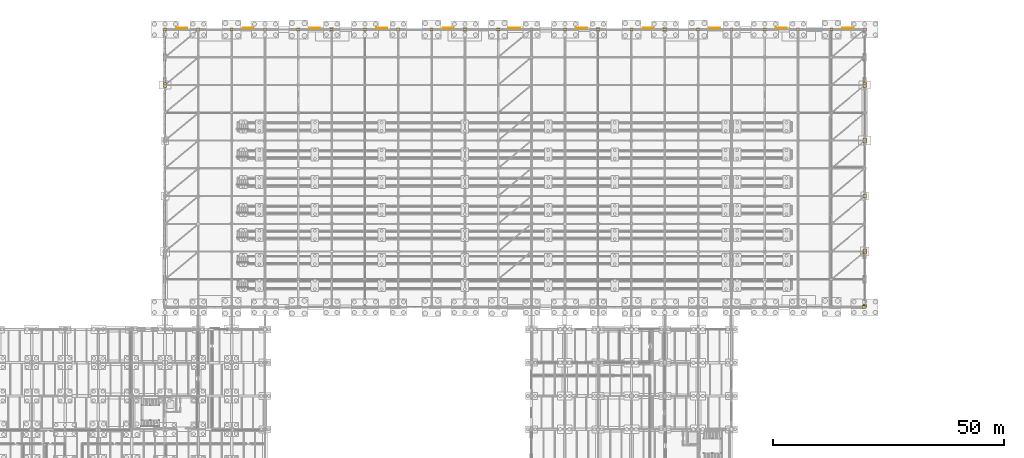
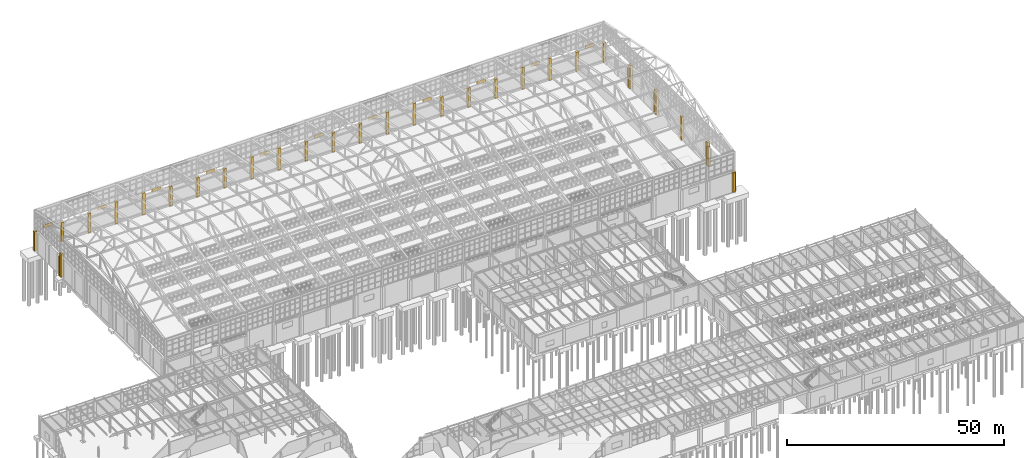
# One storey, part 292 of 293: 33 coverings, 11 shading devices.
"""IFC4 building model written with IfcOpenShell, lengths in metres."""

from ifc_helpers import new_model, si_unit, direction, frame, origin, origin_2d, place, context, subcontext, project, spatial, polyline, rectangle, outline, extrude, material, layer, layer_set, type_object, element, save


model = new_model("IFC4")

# Units and contexts
model_context = context("Model", 3, precision=1e-05, world=origin(), true_north=direction((0.0, 1.0)))
body_context = subcontext(model_context, "Body", "Model", "MODEL_VIEW")
ifc_project = project(units=[si_unit("LENGTHUNIT", "METRE"), si_unit("AREAUNIT", "SQUARE_METRE"), si_unit("VOLUMEUNIT", "CUBIC_METRE"), si_unit("PLANEANGLEUNIT", "RADIAN"), si_unit("MASSUNIT", "GRAM", prefix="KILO")], contexts=[model_context])

# Site, building, storey
site_placement = place(None, origin())
site = spatial("IfcSite", under=ifc_project, at=site_placement, CompositionType="ELEMENT")
building_placement = place(site_placement, origin())
building = spatial("IfcBuilding", under=site, at=building_placement, Name="Kemerveld Promenade Tramway Depot", CompositionType="ELEMENT")
storey_placement = place(building_placement, origin())
storey = spatial("IfcBuildingStorey", under=building, at=storey_placement, Name="L00", CompositionType="ELEMENT", Elevation=0.0)

# Coverings
ifc_material_1 = material(Name="Dressed Harare granite ashlar cladding", Category="masonry")
ifc_layer_1 = layer(ifc_material_1, 0.050048828125)
ifc_layer_set_1 = layer_set([ifc_layer_1], Name="COV-CLAD-GRAN")
covering_type = type_object("IfcCoveringType", Name="COV-CLAD-GRAN", PredefinedType="CLADDING", material=ifc_layer_set_1)
covering_1_placement = place(storey_placement, origin())
element("IfcCovering", 1, at=covering_1_placement, inside=storey, type_object=covering_type, Name="CLAD-PIER-L00-001", PredefinedType="CLADDING", context=body_context, shape_type="SweptSolid", body=[
    extrude(outline(polyline([(35.659912109375, 143.659912109375), (36.340087890625, 143.659912109375), (36.340087890625, 144.340087890625), (35.659912109375, 144.340087890625), (35.659912109375, 143.659912109375)])), origin(), (0.0, 0.0, 1.0), 5.443359375),
])
covering_2_placement = place(storey_placement, origin())
element("IfcCovering", 2, at=covering_2_placement, inside=storey, type_object=covering_type, Name="CLAD-PIER-L00-002", PredefinedType="CLADDING", context=body_context, shape_type="SweptSolid", body=[
    extrude(outline(polyline([(42.860107421875, 143.659912109375), (43.5400390625, 143.659912109375), (43.5400390625, 144.340087890625), (42.860107421875, 144.340087890625), (42.860107421875, 143.659912109375)])), origin(), (0.0, 0.0, 1.0), 5.443359375),
])
covering_3_placement = place(storey_placement, origin())
element("IfcCovering", 3, at=covering_3_placement, inside=storey, type_object=covering_type, Name="CLAD-PIER-L00-005", PredefinedType="CLADDING", context=body_context, shape_type="SweptSolid", body=[
    extrude(outline(polyline([(50.06005859375, 143.659912109375), (50.739990234375, 143.659912109375), (50.739990234375, 144.340087890625), (50.06005859375, 144.340087890625), (50.06005859375, 143.659912109375)])), origin(), (0.0, 0.0, 1.0), 5.443359375),
])
covering_4_placement = place(storey_placement, origin())
element("IfcCovering", 4, at=covering_4_placement, inside=storey, type_object=covering_type, Name="CLAD-PIER-L00-008", PredefinedType="CLADDING", context=body_context, shape_type="SweptSolid", body=[
    extrude(outline(polyline([(57.260009765625, 143.659912109375), (57.93994140625, 143.659912109375), (57.93994140625, 144.340087890625), (57.260009765625, 144.340087890625), (57.260009765625, 143.659912109375)])), origin(), (0.0, 0.0, 1.0), 6.199951171875),
])
covering_5_placement = place(storey_placement, origin())
element("IfcCovering", 5, at=covering_5_placement, inside=storey, type_object=covering_type, Name="CLAD-PIER-L00-011", PredefinedType="CLADDING", context=body_context, shape_type="SweptSolid", body=[
    extrude(outline(polyline([(64.4599609375, 143.659912109375), (65.139892578125, 143.659912109375), (65.139892578125, 144.340087890625), (64.4599609375, 144.340087890625), (64.4599609375, 143.659912109375)])), origin(), (0.0, 0.0, 1.0), 6.199951171875),
])
covering_6_placement = place(storey_placement, origin())
element("IfcCovering", 6, at=covering_6_placement, inside=storey, type_object=covering_type, Name="CLAD-PIER-L00-014", PredefinedType="CLADDING", context=body_context, shape_type="SweptSolid", body=[
    extrude(outline(polyline([(71.659912109375, 143.659912109375), (72.340087890625, 143.659912109375), (72.340087890625, 144.340087890625), (71.659912109375, 144.340087890625), (71.659912109375, 143.659912109375)])), origin(), (0.0, 0.0, 1.0), 5.443359375),
])
covering_7_placement = place(storey_placement, origin())
element("IfcCovering", 7, at=covering_7_placement, inside=storey, type_object=covering_type, Name="CLAD-PIER-L00-017", PredefinedType="CLADDING", context=body_context, shape_type="SweptSolid", body=[
    extrude(outline(polyline([(78.860107421875, 143.659912109375), (79.5400390625, 143.659912109375), (79.5400390625, 144.340087890625), (78.860107421875, 144.340087890625), (78.860107421875, 143.659912109375)])), origin(), (0.0, 0.0, 1.0), 5.443359375),
])
covering_8_placement = place(storey_placement, origin())
element("IfcCovering", 8, at=covering_8_placement, inside=storey, type_object=covering_type, Name="CLAD-PIER-L00-020", PredefinedType="CLADDING", context=body_context, shape_type="SweptSolid", body=[
    extrude(outline(polyline([(86.06005859375, 143.659912109375), (86.739990234375, 143.659912109375), (86.739990234375, 144.340087890625), (86.06005859375, 144.340087890625), (86.06005859375, 143.659912109375)])), origin(), (0.0, 0.0, 1.0), 5.443359375),
])
covering_9_placement = place(storey_placement, origin())
element("IfcCovering", 9, at=covering_9_placement, inside=storey, type_object=covering_type, Name="CLAD-PIER-L00-023", PredefinedType="CLADDING", context=body_context, shape_type="SweptSolid", body=[
    extrude(outline(polyline([(93.260009765625, 143.659912109375), (93.93994140625, 143.659912109375), (93.93994140625, 144.340087890625), (93.260009765625, 144.340087890625), (93.260009765625, 143.659912109375)])), origin(), (0.0, 0.0, 1.0), 6.199951171875),
])
covering_10_placement = place(storey_placement, origin())
element("IfcCovering", 10, at=covering_10_placement, inside=storey, type_object=covering_type, Name="CLAD-PIER-L00-026", PredefinedType="CLADDING", context=body_context, shape_type="SweptSolid", body=[
    extrude(outline(polyline([(100.4599609375, 143.659912109375), (101.139892578125, 143.659912109375), (101.139892578125, 144.340087890625), (100.4599609375, 144.340087890625), (100.4599609375, 143.659912109375)])), origin(), (0.0, 0.0, 1.0), 6.199951171875),
])
covering_11_placement = place(storey_placement, origin())
element("IfcCovering", 11, at=covering_11_placement, inside=storey, type_object=covering_type, Name="CLAD-PIER-L00-029", PredefinedType="CLADDING", context=body_context, shape_type="SweptSolid", body=[
    extrude(outline(polyline([(107.659912109375, 143.659912109375), (108.340087890625, 143.659912109375), (108.340087890625, 144.340087890625), (107.659912109375, 144.340087890625), (107.659912109375, 143.659912109375)])), origin(), (0.0, 0.0, 1.0), 5.443359375),
])
covering_12_placement = place(storey_placement, origin())
element("IfcCovering", 12, at=covering_12_placement, inside=storey, type_object=covering_type, Name="CLAD-PIER-L00-032", PredefinedType="CLADDING", context=body_context, shape_type="SweptSolid", body=[
    extrude(outline(polyline([(114.860107421875, 143.659912109375), (115.5400390625, 143.659912109375), (115.5400390625, 144.340087890625), (114.860107421875, 144.340087890625), (114.860107421875, 143.659912109375)])), origin(), (0.0, 0.0, 1.0), 5.443359375),
])
covering_13_placement = place(storey_placement, origin())
element("IfcCovering", 13, at=covering_13_placement, inside=storey, type_object=covering_type, Name="CLAD-PIER-L00-035", PredefinedType="CLADDING", context=body_context, shape_type="SweptSolid", body=[
    extrude(outline(polyline([(122.06005859375, 143.659912109375), (122.739990234375, 143.659912109375), (122.739990234375, 144.340087890625), (122.06005859375, 144.340087890625), (122.06005859375, 143.659912109375)])), origin(), (0.0, 0.0, 1.0), 5.443359375),
])
covering_14_placement = place(storey_placement, origin())
element("IfcCovering", 14, at=covering_14_placement, inside=storey, type_object=covering_type, Name="CLAD-PIER-L00-038", PredefinedType="CLADDING", context=body_context, shape_type="SweptSolid", body=[
    extrude(outline(polyline([(129.260009765625, 143.659912109375), (129.93994140625, 143.659912109375), (129.93994140625, 144.340087890625), (129.260009765625, 144.340087890625), (129.260009765625, 143.659912109375)])), origin(), (0.0, 0.0, 1.0), 6.199951171875),
])
covering_15_placement = place(storey_placement, origin())
element("IfcCovering", 15, at=covering_15_placement, inside=storey, type_object=covering_type, Name="CLAD-PIER-L00-041", PredefinedType="CLADDING", context=body_context, shape_type="SweptSolid", body=[
    extrude(outline(polyline([(136.4599609375, 143.659912109375), (137.139892578125, 143.659912109375), (137.139892578125, 144.340087890625), (136.4599609375, 144.340087890625), (136.4599609375, 143.659912109375)])), origin(), (0.0, 0.0, 1.0), 6.199951171875),
])
covering_16_placement = place(storey_placement, origin())
element("IfcCovering", 16, at=covering_16_placement, inside=storey, type_object=covering_type, Name="CLAD-PIER-L00-044", PredefinedType="CLADDING", context=body_context, shape_type="SweptSolid", body=[
    extrude(outline(polyline([(143.659912109375, 143.659912109375), (144.340087890625, 143.659912109375), (144.340087890625, 144.340087890625), (143.659912109375, 144.340087890625), (143.659912109375, 143.659912109375)])), origin(), (0.0, 0.0, 1.0), 5.443359375),
])
covering_17_placement = place(storey_placement, origin())
element("IfcCovering", 17, at=covering_17_placement, inside=storey, type_object=covering_type, Name="CLAD-PIER-L00-047", PredefinedType="CLADDING", context=body_context, shape_type="SweptSolid", body=[
    extrude(outline(polyline([(150.860107421875, 143.659912109375), (151.5400390625, 143.659912109375), (151.5400390625, 144.340087890625), (150.860107421875, 144.340087890625), (150.860107421875, 143.659912109375)])), origin(), (0.0, 0.0, 1.0), 5.443359375),
])
covering_18_placement = place(storey_placement, origin())
element("IfcCovering", 18, at=covering_18_placement, inside=storey, type_object=covering_type, Name="CLAD-PIER-L00-050", PredefinedType="CLADDING", context=body_context, shape_type="SweptSolid", body=[
    extrude(outline(polyline([(158.06005859375, 143.659912109375), (158.739990234375, 143.659912109375), (158.739990234375, 144.340087890625), (158.06005859375, 144.340087890625), (158.06005859375, 143.659912109375)])), origin(), (0.0, 0.0, 1.0), 5.443359375),
])
covering_19_placement = place(storey_placement, origin())
element("IfcCovering", 19, at=covering_19_placement, inside=storey, type_object=covering_type, Name="CLAD-PIER-L00-053", PredefinedType="CLADDING", context=body_context, shape_type="SweptSolid", body=[
    extrude(outline(polyline([(165.260009765625, 143.659912109375), (165.93994140625, 143.659912109375), (165.93994140625, 144.340087890625), (165.260009765625, 144.340087890625), (165.260009765625, 143.659912109375)])), origin(), (0.0, 0.0, 1.0), 6.199951171875),
])
covering_20_placement = place(storey_placement, origin())
element("IfcCovering", 20, at=covering_20_placement, inside=storey, type_object=covering_type, Name="CLAD-PIER-L00-056", PredefinedType="CLADDING", context=body_context, shape_type="SweptSolid", body=[
    extrude(outline(polyline([(172.4599609375, 143.659912109375), (173.139892578125, 143.659912109375), (173.139892578125, 144.340087890625), (172.4599609375, 144.340087890625), (172.4599609375, 143.659912109375)])), origin(), (0.0, 0.0, 1.0), 6.199951171875),
])
covering_21_placement = place(storey_placement, origin())
element("IfcCovering", 21, at=covering_21_placement, inside=storey, type_object=covering_type, Name="CLAD-PIER-L00-059", PredefinedType="CLADDING", context=body_context, shape_type="SweptSolid", body=[
    extrude(outline(polyline([(179.659912109375, 143.659912109375), (180.340087890625, 143.659912109375), (180.340087890625, 144.340087890625), (179.659912109375, 144.340087890625), (179.659912109375, 143.659912109375)])), origin(), (0.0, 0.0, 1.0), 5.443359375),
])
covering_22_placement = place(storey_placement, origin())
element("IfcCovering", 22, at=covering_22_placement, inside=storey, type_object=covering_type, Name="CLAD-PIER-L00-062", PredefinedType="CLADDING", context=body_context, shape_type="SweptSolid", body=[
    extrude(outline(polyline([(186.860107421875, 143.659912109375), (187.5400390625, 143.659912109375), (187.5400390625, 144.340087890625), (186.860107421875, 144.340087890625), (186.860107421875, 143.659912109375)])), origin(), (0.0, 0.0, 1.0), 5.443359375),
])
covering_23_placement = place(storey_placement, origin())
element("IfcCovering", 23, at=covering_23_placement, inside=storey, type_object=covering_type, Name="CLAD-PIER-L00-063", PredefinedType="CLADDING", context=body_context, shape_type="SweptSolid", body=[
    extrude(outline(polyline([(186.639892578125, 83.659912109375), (187.320068359375, 83.659912109375), (187.320068359375, 84.340087890625), (186.639892578125, 84.340087890625), (186.639892578125, 83.659912109375)])), origin(), (0.0, 0.0, 1.0), 5.443359375),
])
covering_24_placement = place(storey_placement, origin())
element("IfcCovering", 24, at=covering_24_placement, inside=storey, type_object=covering_type, Name="CLAD-PIER-L00-067", PredefinedType="CLADDING", context=body_context, shape_type="SweptSolid", body=[
    extrude(outline(polyline([(186.860107421875, 95.47998046875), (187.5400390625, 95.47998046875), (187.5400390625, 96.159912109375), (186.860107421875, 96.159912109375), (186.860107421875, 95.47998046875)])), origin(), (0.0, 0.0, 1.0), 5.443359375),
])
covering_25_placement = place(storey_placement, origin())
element("IfcCovering", 25, at=covering_25_placement, inside=storey, type_object=covering_type, Name="CLAD-PIER-L00-068", PredefinedType="CLADDING", context=body_context, shape_type="SweptSolid", body=[
    extrude(outline(polyline([(186.860107421875, 83.8798828125), (187.5400390625, 83.8798828125), (187.5400390625, 84.56005859375), (186.860107421875, 84.56005859375), (186.860107421875, 83.8798828125)])), origin(), (0.0, 0.0, 1.0), 5.443359375),
])
covering_26_placement = place(storey_placement, origin())
element("IfcCovering", 26, at=covering_26_placement, inside=storey, type_object=covering_type, Name="CLAD-PIER-L00-071", PredefinedType="CLADDING", context=body_context, shape_type="SweptSolid", body=[
    extrude(outline(polyline([(186.860107421875, 107.659912109375), (187.5400390625, 107.659912109375), (187.5400390625, 108.340087890625), (186.860107421875, 108.340087890625), (186.860107421875, 107.659912109375)])), origin(), (0.0, 0.0, 1.0), 6.60009765625),
])
covering_27_placement = place(storey_placement, origin())
element("IfcCovering", 27, at=covering_27_placement, inside=storey, type_object=covering_type, Name="CLAD-PIER-L00-072", PredefinedType="CLADDING", context=body_context, shape_type="SweptSolid", body=[
    extrude(outline(polyline([(186.860107421875, 95.840087890625), (187.5400390625, 95.840087890625), (187.5400390625, 96.52001953125), (186.860107421875, 96.52001953125), (186.860107421875, 95.840087890625)])), origin(), (0.0, 0.0, 1.0), 6.60009765625),
])
covering_28_placement = place(storey_placement, origin())
element("IfcCovering", 28, at=covering_28_placement, inside=storey, type_object=covering_type, Name="CLAD-PIER-L00-074", PredefinedType="CLADDING", context=body_context, shape_type="SweptSolid", body=[
    extrude(outline(polyline([(186.860107421875, 119.47998046875), (187.5400390625, 119.47998046875), (187.5400390625, 120.159912109375), (186.860107421875, 120.159912109375), (186.860107421875, 119.47998046875)])), origin(), (0.0, 0.0, 1.0), 6.60009765625),
])
covering_29_placement = place(storey_placement, origin())
element("IfcCovering", 29, at=covering_29_placement, inside=storey, type_object=covering_type, Name="CLAD-PIER-L00-076", PredefinedType="CLADDING", context=body_context, shape_type="SweptSolid", body=[
    extrude(outline(polyline([(35.659912109375, 131.47998046875), (36.340087890625, 131.47998046875), (36.340087890625, 132.159912109375), (35.659912109375, 132.159912109375), (35.659912109375, 131.47998046875)])), origin(), (0.0, 0.0, 1.0), 6.60009765625),
])
covering_30_placement = place(storey_placement, origin())
element("IfcCovering", 30, at=covering_30_placement, inside=storey, type_object=covering_type, Name="CLAD-PIER-L00-077", PredefinedType="CLADDING", context=body_context, shape_type="SweptSolid", body=[
    extrude(outline(polyline([(186.860107421875, 131.47998046875), (187.5400390625, 131.47998046875), (187.5400390625, 132.159912109375), (186.860107421875, 132.159912109375), (186.860107421875, 131.47998046875)])), origin(), (0.0, 0.0, 1.0), 6.60009765625),
])
covering_31_placement = place(storey_placement, origin())
element("IfcCovering", 31, at=covering_31_placement, inside=storey, type_object=covering_type, Name="CLAD-PIER-L00-078", PredefinedType="CLADDING", context=body_context, shape_type="SweptSolid", body=[
    extrude(outline(polyline([(186.860107421875, 119.840087890625), (187.5400390625, 119.840087890625), (187.5400390625, 120.52001953125), (186.860107421875, 120.52001953125), (186.860107421875, 119.840087890625)])), origin(), (0.0, 0.0, 1.0), 6.60009765625),
])
covering_32_placement = place(storey_placement, origin())
element("IfcCovering", 32, at=covering_32_placement, inside=storey, type_object=covering_type, Name="CLAD-PIER-L00-079", PredefinedType="CLADDING", context=body_context, shape_type="SweptSolid", body=[
    extrude(outline(polyline([(35.659912109375, 131.840087890625), (36.340087890625, 131.840087890625), (36.340087890625, 132.52001953125), (35.659912109375, 132.52001953125), (35.659912109375, 131.840087890625)])), origin(), (0.0, 0.0, 1.0), 5.443359375),
])
covering_33_placement = place(storey_placement, origin())
element("IfcCovering", 33, at=covering_33_placement, inside=storey, type_object=covering_type, Name="CLAD-PIER-L00-080", PredefinedType="CLADDING", context=body_context, shape_type="SweptSolid", body=[
    extrude(outline(polyline([(186.860107421875, 131.840087890625), (187.5400390625, 131.840087890625), (187.5400390625, 132.52001953125), (186.860107421875, 132.52001953125), (186.860107421875, 131.840087890625)])), origin(), (0.0, 0.0, 1.0), 5.443359375),
])

# Shading devices
ifc_material_2 = material(Name="Perforated bronze-aluminium solar louvre", Category="aluminium")
ifc_layer_2 = layer(ifc_material_2, 0.1201171875)
ifc_layer_set_2 = layer_set([ifc_layer_2], Name="SHD-LOUVRE")
shading_device_type = type_object("IfcShadingDeviceType", Name="SHD-LOUVRE", PredefinedType="JALOUSIE", material=ifc_layer_set_2)
for number, where, z_axis, x_axis, name in (
    (34, (39.60009765625, 144.27001953125, 5.150146484375), (0.0, 0.0, 1.0), (1.0, 0.0, 0.0), "SHD-V1-N-001"),
    (35, (54.0, 144.27001953125, 5.150146484375), (0.0, 0.0, 1.0), (1.0, 0.0, 0.0), "SHD-V1-N-002"),
    (36, (68.39990234375, 144.27001953125, 5.150146484375), (0.0, 0.0, 1.0), (1.0, 0.0, 0.0), "SHD-V1-N-003"),
    (37, (82.800048828125, 144.27001953125, 5.150146484375), (0.0, 0.0, 1.0), (1.0, 0.0, 0.0), "SHD-V1-N-004"),
    (38, (97.199951171875, 144.27001953125, 5.150146484375), (0.0, 0.0, 1.0), (1.0, 0.0, 0.0), "SHD-V1-N-005"),
    (39, (111.60009765625, 144.27001953125, 5.150146484375), (0.0, 0.0, 1.0), (1.0, 0.0, 0.0), "SHD-V1-N-006"),
    (40, (126.0, 144.27001953125, 5.150146484375), (0.0, 0.0, 1.0), (1.0, 0.0, 0.0), "SHD-V1-N-007"),
    (41, (140.39990234375, 144.27001953125, 5.150146484375), (0.0, 0.0, 1.0), (1.0, 0.0, 0.0), "SHD-V1-N-008"),
    (42, (154.800048828125, 144.27001953125, 5.150146484375), (0.0, 0.0, 1.0), (1.0, 0.0, 0.0), "SHD-V1-N-009"),
    (43, (169.199951171875, 144.27001953125, 5.150146484375), (0.0, 0.0, 1.0), (1.0, 0.0, 0.0), "SHD-V1-N-010"),
    (44, (183.60009765625, 144.27001953125, 5.150146484375), (0.0, 0.0, 1.0), (1.0, 0.0, 0.0), "SHD-V1-N-011"),
):
    element("IfcShadingDevice", number, at=place(storey_placement, frame(where, z_axis=z_axis, x_axis=x_axis)), inside=storey, type_object=shading_device_type, Name=name, PredefinedType="JALOUSIE", context=body_context, shape_type="SweptSolid", body=[
        extrude(rectangle(XDim=2.39990234375, YDim=0.1201171875, at=origin_2d()), origin(), (0.0, 0.0, 1.0), 0.89990234375),
    ])

save(model, "model.ifc")
